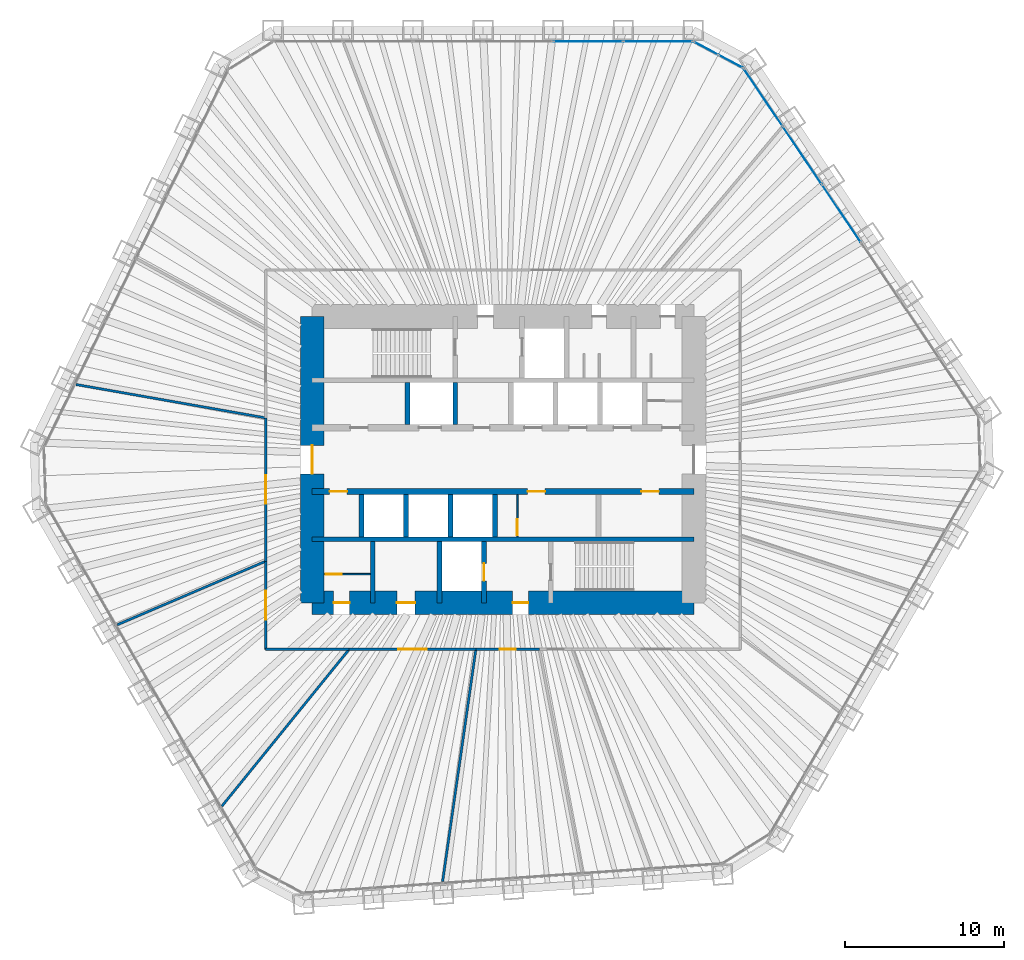
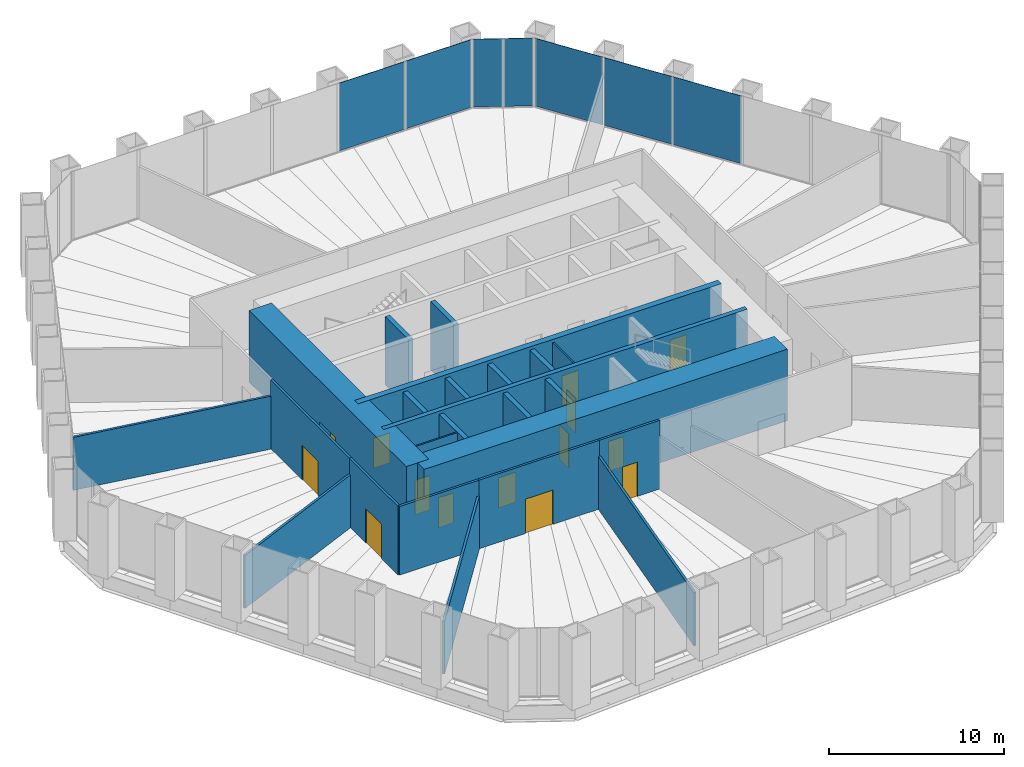
# One storey, part 10 of 13: 24 walls, 14 doors, 7 plates, 14 openings, 3 elements without a shape of their own.
"""IFC4 building model written with IfcOpenShell, lengths in metres."""

import ifcopenshell
import ifcopenshell.guid

model = None  # the IFC model being written
_history = None  # IfcOwnerHistory: only IFC2X3 demands one
_inside = {}  # id of a spatial element -> (the spatial element, [elements in it])
_under = {}  # id of a project, library or spatial element -> (it, [spatial elements below it])
_declared = {}  # id of a project -> (the project, [libraries it declares])
_typed = {}  # id of a type object -> (the type object, [elements of that type])
_made_of = {}  # id of a material, layer set ... -> (it, [elements and type objects made of it])


def new_model(schema):
    """Start an empty IFC model of exactly this schema.

    Asked for "IFC4X3", IfcOpenShell would pick the latest addendum, in which some entities
    have other attributes; the version numbers below select the first issue.
    IFC2X3 requires an IfcOwnerHistory on every rooted entity: one is made here for all.
    """
    global model, _history
    if schema == "IFC4X3":
        model = ifcopenshell.file(schema_version=(4, 3, 0, 0))
    else:
        model = ifcopenshell.file(schema=schema)
    _inside.clear()
    _under.clear()
    _declared.clear()
    _typed.clear()
    _made_of.clear()
    _history = None
    if model.schema == "IFC2X3":
        org = make("IfcOrganization", Name="unknown")
        user = make(
            "IfcPersonAndOrganization",
            ThePerson=make("IfcPerson", FamilyName="unknown"),
            TheOrganization=org,
        )
        app = make(
            "IfcApplication",
            ApplicationDeveloper=org,
            Version="unknown",
            ApplicationFullName="unknown",
            ApplicationIdentifier="unknown",
        )
        _history = make(
            "IfcOwnerHistory",
            OwningUser=user,
            OwningApplication=app,
            ChangeAction="ADDED",
            CreationDate=0,
        )
    return model


def make(cls, **values):
    """One entity of the class cls with the attributes given. An attribute that is None is left unset."""
    return model.create_entity(
        cls, **{name: value for name, value in values.items() if value is not None}
    )


def rooted(cls, **values):
    """An entity with a GlobalId (a new one), such as an element, a storey or a relation."""
    return make(cls, GlobalId=ifcopenshell.guid.new(), OwnerHistory=_history, **values)


def si_unit(unit_type, name, prefix=None):
    """IfcSIUnit, for example si_unit("LENGTHUNIT", "METRE", prefix="MILLI")."""
    return make("IfcSIUnit", UnitType=unit_type, Prefix=prefix, Name=name)


def assignment(units):
    """IfcUnitAssignment: the units of a project."""
    return None if units is None else make("IfcUnitAssignment", Units=units)


def point(xyz):
    """IfcCartesianPoint."""
    return None if xyz is None else make("IfcCartesianPoint", Coordinates=xyz)


def direction(xyz):
    """IfcDirection."""
    return None if xyz is None else make("IfcDirection", DirectionRatios=xyz)


def frame(location, z_axis=None, x_axis=None):
    """IfcAxis2Placement3D, a coordinate frame: its origin and axes. An axis left out is left unset."""
    return make(
        "IfcAxis2Placement3D",
        Location=point(location),
        Axis=direction(z_axis),
        RefDirection=direction(x_axis),
    )


def frame_2d(location, x_axis=None):
    """IfcAxis2Placement2D, a coordinate frame in the plane: its origin and x axis."""
    return make(
        "IfcAxis2Placement2D", Location=point(location), RefDirection=direction(x_axis)
    )


def origin():
    """The frame at (0, 0, 0) with its axes left unset."""
    return frame((0.0, 0.0, 0.0))


def origin_2d():
    """The frame at (0, 0) in the plane with its x axis left unset."""
    return frame_2d((0.0, 0.0))


def place(relative_to, where):
    """IfcLocalPlacement: puts the frame where relative to a parent placement (None: the world)."""
    return make(
        "IfcLocalPlacement", PlacementRelTo=relative_to, RelativePlacement=where
    )


def context(
    kind, dimensions, precision=None, world=None, true_north=None, identifier=None
):
    """IfcGeometricRepresentationContext, for example the 3D "Model" context."""
    return make(
        "IfcGeometricRepresentationContext",
        ContextIdentifier=identifier,
        ContextType=kind,
        CoordinateSpaceDimension=dimensions,
        Precision=precision,
        WorldCoordinateSystem=world,
        TrueNorth=true_north,
    )


def subcontext(parent, identifier, kind, view, scale=None):
    """IfcGeometricRepresentationSubContext, for example "Body" below "Model"."""
    return make(
        "IfcGeometricRepresentationSubContext",
        ContextIdentifier=identifier,
        ContextType=kind,
        ParentContext=parent,
        TargetScale=scale,
        TargetView=view,
    )


def project(units=None, contexts=None):
    """IfcProject with its units and contexts."""
    return rooted(
        "IfcProject",
        Name="project",
        RepresentationContexts=contexts,
        UnitsInContext=assignment(units),
    )


def spatial(cls, under=None, at=None, **own):
    """A site, building, storey or space (cls), placed at a placement, below another one or the project."""
    s = rooted(cls, ObjectPlacement=at, **own)
    if under is not None:
        _under.setdefault(under.id(), (under, []))[1].append(s)
    return s


def profile(cls, at=None, kind="AREA", **sizes):
    """A parametric profile (cls). Its sizes go by their IFC names, for example OverallWidth=200.0."""
    return make(cls, ProfileType=kind, Position=at, **sizes)


def rectangle(**sizes):
    """IfcRectangleProfileDef."""
    return profile("IfcRectangleProfileDef", **sizes)


def extrude(swept, where, along, depth):
    """IfcExtrudedAreaSolid: the profile swept, set in the frame where, extruded along a direction by depth."""
    return make(
        "IfcExtrudedAreaSolid",
        SweptArea=swept,
        Position=where,
        ExtrudedDirection=direction(along),
        Depth=depth,
    )


def shape(context_of_items, identifier, shape_type, items):
    """IfcShapeRepresentation: the items that make up one representation, for example the "Body"."""
    return make(
        "IfcShapeRepresentation",
        ContextOfItems=context_of_items,
        RepresentationIdentifier=identifier,
        RepresentationType=shape_type,
        Items=items,
    )


def material(Name=None, Category=None):
    """IfcMaterial."""
    return make("IfcMaterial", Name=Name, Category=Category)


def layer(
    of_material, thickness, ventilated=None, Name=None, Category=None, Priority=None
):
    """IfcMaterialLayer: one layer of a wall or slab, of a material (None: an air gap)."""
    return make(
        "IfcMaterialLayer",
        Material=of_material,
        LayerThickness=thickness,
        IsVentilated=ventilated,
        Name=Name,
        Category=Category,
        Priority=Priority,
    )


def layer_set(layers, Name=None):
    """IfcMaterialLayerSet."""
    return make("IfcMaterialLayerSet", MaterialLayers=layers, LayerSetName=Name)


def made_of(thing, what):
    """Note that an element or type object is made of a material, layer set ...; save() writes the relation."""
    if what is not None:
        _made_of.setdefault(what.id(), (what, []))[1].append(thing)
    return thing


def type_object(cls, material=None, **own):
    """A type object (cls), such as IfcWallType, which elements share."""
    return made_of(rooted(cls, **own), material)


def element(
    cls,
    number,
    at=None,
    inside=None,
    cuts=None,
    type_object=None,
    material=None,
    context=None,
    identifier="Body",
    shape_type=None,
    held_by="IfcProductDefinitionShape",
    body=None,
    shapes=None,
    **own,
):
    """One element of the class cls, such as IfcWall. Its Tag is "e" and its number.

    at: its placement. inside: the storey or other place that contains it. cuts: it is an
    opening in that element (IfcRelVoidsElement). A single representation is given by context,
    identifier, shape_type and body (its items); several are given by shapes. held_by: the class
    of the entity that holds the representations. save() writes the other relations.
    """
    e = rooted(cls, Tag="e%d" % number, ObjectPlacement=at, **own)
    if body is not None:
        shapes = [shape(context, identifier, shape_type, body)]
    if shapes is not None:
        e.Representation = make(held_by, Representations=shapes)
    if inside is not None:
        _inside.setdefault(inside.id(), (inside, []))[1].append(e)
    if cuts is not None:
        rooted(
            "IfcRelVoidsElement", RelatingBuildingElement=cuts, RelatedOpeningElement=e
        )
    if type_object is not None:
        _typed.setdefault(type_object.id(), (type_object, []))[1].append(e)
    return made_of(e, material)


def fill(opening, filler):
    """IfcRelFillsElement: the door or window that sits in an opening."""
    return rooted(
        "IfcRelFillsElement",
        RelatingOpeningElement=opening,
        RelatedBuildingElement=filler,
    )


def aggregate(whole, parts):
    """IfcRelAggregates: a whole, such as a stair, and the parts it consists of."""
    return rooted("IfcRelAggregates", RelatingObject=whole, RelatedObjects=parts)


def save(model, path):
    """Write the relations noted so far, then the file.

    IfcRelAggregates (storeys below a building ...), IfcRelContainedInSpatialStructure (elements
    in a storey), IfcRelDefinesByType, IfcRelAssociatesMaterial and IfcRelDeclares: one each for
    every whole, place, type object, material and project.
    """
    for whole, parts in _under.values():
        aggregate(whole, parts)
    for where, things in _inside.values():
        rooted(
            "IfcRelContainedInSpatialStructure",
            RelatedElements=things,
            RelatingStructure=where,
        )
    for kind, things in _typed.values():
        rooted("IfcRelDefinesByType", RelatedObjects=things, RelatingType=kind)
    for what, things in _made_of.values():
        rooted("IfcRelAssociatesMaterial", RelatedObjects=things, RelatingMaterial=what)
    for by, libraries in _declared.values():
        rooted("IfcRelDeclares", RelatingContext=by, RelatedDefinitions=libraries)
    model.write(path)


model = new_model("IFC4")

# Units and contexts
model_context = context("Model", 3, precision=1e-05, world=origin(), true_north=direction((0.0, 1.0)))
body_context = subcontext(model_context, "Body", "Model", "MODEL_VIEW")
ifc_project = project(units=[si_unit("LENGTHUNIT", "METRE"), si_unit("AREAUNIT", "SQUARE_METRE"), si_unit("VOLUMEUNIT", "CUBIC_METRE"), si_unit("PLANEANGLEUNIT", "RADIAN"), si_unit("MASSUNIT", "GRAM", prefix="KILO")], contexts=[model_context])

# Site, building, storey
site_placement = place(None, origin())
site = spatial("IfcSite", under=ifc_project, at=site_placement, CompositionType="ELEMENT")
building_placement = place(site_placement, origin())
building = spatial("IfcBuilding", under=site, at=building_placement, Name="Qingtian Harvest Tower", CompositionType="ELEMENT")
storey_placement = place(building_placement, frame((0.0, 0.0, 22.0)))
storey = spatial("IfcBuildingStorey", under=building, at=storey_placement, Name="L04", CompositionType="ELEMENT", Elevation=22.0)

# Curtain wall, plates
ifc_material_1 = material(Name="Bronze-anodised aluminium curtain wall", Category="aluminium")
curtain_wall_type = type_object("IfcCurtainWallType", Name="Curtain wall CW2 farm reception", PredefinedType="USERDEFINED", material=ifc_material_1)
curtain_wall_1_placement = place(storey_placement, origin())
curtain_wall_1 = element("IfcCurtainWall", 1, at=curtain_wall_1_placement, inside=storey, type_object=curtain_wall_type, Name="Curtain wall CW2 L04 N0-5", ObjectType="RECESSED CURTAIN WALL", PredefinedType="USERDEFINED")
ifc_material_2 = material(Name="Bronze-tinted laminated insulating glass", Category="glass")
ifc_layer_1 = layer(ifc_material_2, 0.030029296875)
ifc_layer_set_1 = layer_set([ifc_layer_1], Name="Glazed panel CWP tinted IGU")
plate_type = type_object("IfcPlateType", Name="Glazed panel CWP tinted IGU", PredefinedType="CURTAIN_PANEL", material=ifc_layer_set_1)
plate_1_placement = place(storey_placement, frame((5.349365234375, 26.300048828125, 0.06494140625), z_axis=(0.0, 0.0, 1.0), x_axis=(1.0, 0.0, 0.0)))
plate_1 = element("IfcPlate", 2, at=plate_1_placement, type_object=plate_type, Name="CW2 panel 5.1", PredefinedType="CURTAIN_PANEL", context=body_context, shape_type="SweptSolid", body=[
    extrude(rectangle(XDim=4.339599609375, YDim=0.030029296875, at=origin_2d()), origin(), (0.0, 0.0, 1.0), 4.735107421875),
])
plate_2_placement = place(storey_placement, frame((9.737548828125, 26.300048828125, 0.06494140625), z_axis=(0.0, 0.0, 1.0), x_axis=(1.0, 0.0, 0.0)))
plate_2 = element("IfcPlate", 3, at=plate_2_placement, type_object=plate_type, Name="CW2 panel 6.1", PredefinedType="CURTAIN_PANEL", context=body_context, shape_type="SweptSolid", body=[
    extrude(rectangle(XDim=4.30712890625, YDim=0.030029296875, at=origin_2d()), origin(), (0.0, 0.0, 1.0), 4.735107421875),
])
aggregate(curtain_wall_1, [plate_1, plate_2])

curtain_wall_2_placement = place(storey_placement, origin())
curtain_wall_2 = element("IfcCurtainWall", 4, at=curtain_wall_2_placement, inside=storey, type_object=curtain_wall_type, Name="Curtain wall CW2 L04 NC", ObjectType="RECESSED CURTAIN WALL", PredefinedType="USERDEFINED")
plate_3_placement = place(storey_placement, frame((12.760986328125, 25.8720703125, 0.06494140625), z_axis=(0.0, 0.0, 1.0), x_axis=(0.882947592859, -0.469471562786, 0.0)))
plate_3 = element("IfcPlate", 5, at=plate_3_placement, type_object=plate_type, Name="CW2 panel 1.1", PredefinedType="CURTAIN_PANEL", context=body_context, shape_type="SweptSolid", body=[
    extrude(rectangle(XDim=1.69287109375, YDim=0.030029296875, at=origin_2d()), origin(), (0.0, 0.0, 1.0), 4.735107421875),
])
plate_4_placement = place(storey_placement, frame((14.31298828125, 25.046875, 0.06494140625), z_axis=(0.0, 0.0, 1.0), x_axis=(0.882947592859, -0.469471562786, 0.0)))
plate_4 = element("IfcPlate", 6, at=plate_4_placement, type_object=plate_type, Name="CW2 panel 2.1", PredefinedType="CURTAIN_PANEL", context=body_context, shape_type="SweptSolid", body=[
    extrude(rectangle(XDim=1.69287109375, YDim=0.030029296875, at=origin_2d()), origin(), (0.0, 0.0, 1.0), 4.735107421875),
])
aggregate(curtain_wall_2, [plate_3, plate_4])

curtain_wall_3_placement = place(storey_placement, origin())
curtain_wall_3 = element("IfcCurtainWall", 7, at=curtain_wall_3_placement, inside=storey, type_object=curtain_wall_type, Name="Curtain wall CW2 L04 NE0-5", ObjectType="RECESSED CURTAIN WALL", PredefinedType="USERDEFINED")
plate_5_placement = place(storey_placement, frame((16.3583984375, 22.779541015625, 0.06494140625), z_axis=(0.0, 0.0, 1.0), x_axis=(0.559192903471, -0.829037572555, 0.0)))
plate_5 = element("IfcPlate", 8, at=plate_5_placement, type_object=plate_type, Name="CW2 panel 1.1", PredefinedType="CURTAIN_PANEL", context=body_context, shape_type="SweptSolid", body=[
    extrude(rectangle(XDim=4.30712890625, YDim=0.030029296875, at=origin_2d()), origin(), (0.0, 0.0, 1.0), 4.735107421875),
])
plate_6_placement = place(storey_placement, frame((18.8125, 19.1416015625, 0.06494140625), z_axis=(0.0, 0.0, 1.0), x_axis=(0.559192903471, -0.829037572555, 0.0)))
plate_6 = element("IfcPlate", 9, at=plate_6_placement, type_object=plate_type, Name="CW2 panel 2.1", PredefinedType="CURTAIN_PANEL", context=body_context, shape_type="SweptSolid", body=[
    extrude(rectangle(XDim=4.339599609375, YDim=0.030029296875, at=origin_2d()), origin(), (0.0, 0.0, 1.0), 4.735107421875),
])
plate_7_placement = place(storey_placement, frame((21.275390625, 15.489990234375, 0.06494140625), z_axis=(0.0, 0.0, 1.0), x_axis=(0.559192903471, -0.829037572555, 0.0)))
plate_7 = element("IfcPlate", 10, at=plate_7_placement, type_object=plate_type, Name="CW2 panel 3.1", PredefinedType="CURTAIN_PANEL", context=body_context, shape_type="SweptSolid", body=[
    extrude(rectangle(XDim=4.339599609375, YDim=0.030029296875, at=origin_2d()), origin(), (0.0, 0.0, 1.0), 4.735107421875),
])
aggregate(curtain_wall_3, [plate_5, plate_6, plate_7])

# Wall
ifc_material_3 = material(Name="Concrete fc' 70 MPa", Category="concrete")
ifc_layer_2 = layer(ifc_material_3, 0.300048828125)
ifc_layer_set_2 = layer_set([ifc_layer_2], Name="Core inner wall RC5 300")
wall_type_1 = type_object("IfcWallType", Name="Core inner wall RC5 300", PredefinedType="SHEAR", material=ifc_layer_set_2)
wall_1_placement = place(storey_placement, frame((-12.0, -5.0, 0.0), z_axis=(0.0, 0.0, 1.0), x_axis=(1.0, 0.0, 0.0)))
element("IfcWall", 11, at=wall_1_placement, inside=storey, type_object=wall_type_1, Name="Core wall IS5 L04", PredefinedType="SHEAR", context=body_context, shape_type="SweptSolid", body=[
    extrude(rectangle(XDim=24.0, YDim=0.300048828125, at=frame_2d((12.0, 0.0))), origin(), (0.0, 0.0, 1.0), 5.0),
])

# Wall, openings, doors
ifc_material_4 = material(Name="Concrete fc' 70 MPa", Category="concrete")
ifc_layer_3 = layer(ifc_material_4, 0.39990234375)
ifc_layer_set_3 = layer_set([ifc_layer_3], Name="Core inner web RC6 400")
wall_type_2 = type_object("IfcWallType", Name="Core inner web RC6 400", PredefinedType="SHEAR", material=ifc_layer_set_3)
wall_2_placement = place(storey_placement, frame((-12.0, -2.0, 0.0), z_axis=(0.0, 0.0, 1.0), x_axis=(1.0, 0.0, 0.0)))
wall_2 = element("IfcWall", 12, at=wall_2_placement, inside=storey, type_object=wall_type_2, Name="Core wall IS2 L04", PredefinedType="SHEAR", context=body_context, shape_type="SweptSolid", body=[
    extrude(rectangle(XDim=24.0, YDim=0.39990234375, at=frame_2d((12.0, 0.0))), origin(), (0.0, 0.0, 1.0), 5.0),
])
opening_1_placement = place(wall_2_placement, frame((1.10009765625, 0.0, 0.0)))
opening_1 = element("IfcOpeningElement", 13, at=opening_1_placement, cuts=wall_2, Name="Opening FD4", PredefinedType="OPENING", context=body_context, shape_type="SweptSolid", body=[
    extrude(rectangle(XDim=1.10009765625, YDim=2.10009765625, at=frame_2d((0.550048828125, 1.050048828125))), frame((0.0, 0.2099609375, 0.0), z_axis=(0.0, -1.0, 0.0), x_axis=(1.0, 0.0, 0.0)), (0.0, 0.0, 1.0), 0.419921875),
])
opening_2_placement = place(wall_2_placement, frame((13.550048828125, 0.0, 0.0)))
opening_2 = element("IfcOpeningElement", 14, at=opening_2_placement, cuts=wall_2, Name="Opening FD4", PredefinedType="OPENING", context=body_context, shape_type="SweptSolid", body=[
    extrude(rectangle(XDim=1.10009765625, YDim=2.10009765625, at=frame_2d((0.550048828125, 1.050048828125))), frame((0.0, 0.2099609375, 0.0), z_axis=(0.0, -1.0, 0.0), x_axis=(1.0, 0.0, 0.0)), (0.0, 0.0, 1.0), 0.419921875),
])
opening_3_placement = place(wall_2_placement, frame((20.699951171875, 0.0, 0.0)))
opening_3 = element("IfcOpeningElement", 15, at=opening_3_placement, cuts=wall_2, Name="Opening FD4", PredefinedType="OPENING", context=body_context, shape_type="SweptSolid", body=[
    extrude(rectangle(XDim=1.10009765625, YDim=2.10009765625, at=frame_2d((0.550048828125, 1.050048828125))), frame((0.0, 0.2099609375, 0.0), z_axis=(0.0, -1.0, 0.0), x_axis=(1.0, 0.0, 0.0)), (0.0, 0.0, 1.0), 0.419921875),
])
ifc_material_5 = material(Name="Steel-faced door leaf", Category="steel")
door_type_1 = type_object("IfcDoorType", Name="Fire door FD4 single 2 HR", OperationType="SINGLE_SWING_LEFT", PredefinedType="DOOR", material=ifc_material_5)
door_1_placement = place(opening_1_placement, origin())
door_1 = element("IfcDoor", 16, at=door_1_placement, inside=storey, type_object=door_type_1, Name="RB door L04", OperationType="SINGLE_SWING_LEFT", OverallHeight=2.10009765625, OverallWidth=1.10009765625, PredefinedType="DOOR", context=body_context, shape_type="SweptSolid", body=[
    extrude(rectangle(XDim=1.10009765625, YDim=2.10009765625, at=frame_2d((0.550048828125, 1.050048828125))), frame((0.0, 0.02490234375, 0.0), z_axis=(0.0, -1.0, 0.0), x_axis=(1.0, 0.0, 0.0)), (0.0, 0.0, 1.0), 0.050048828125),
])
fill(opening_1, door_1)
door_2_placement = place(opening_2_placement, origin())
door_2 = element("IfcDoor", 17, at=door_2_placement, inside=storey, type_object=door_type_1, Name="ELEC door L04", OperationType="SINGLE_SWING_LEFT", OverallHeight=2.10009765625, OverallWidth=1.10009765625, PredefinedType="DOOR", context=body_context, shape_type="SweptSolid", body=[
    extrude(rectangle(XDim=1.10009765625, YDim=2.10009765625, at=frame_2d((0.550048828125, 1.050048828125))), frame((0.0, 0.02490234375, 0.0), z_axis=(0.0, -1.0, 0.0), x_axis=(1.0, 0.0, 0.0)), (0.0, 0.0, 1.0), 0.050048828125),
])
fill(opening_2, door_2)
door_3_placement = place(opening_3_placement, origin())
door_3 = element("IfcDoor", 18, at=door_3_placement, inside=storey, type_object=door_type_1, Name="DUCT door L04", OperationType="SINGLE_SWING_RIGHT", OverallHeight=2.10009765625, OverallWidth=1.10009765625, PredefinedType="DOOR", context=body_context, shape_type="SweptSolid", body=[
    extrude(rectangle(XDim=1.10009765625, YDim=2.10009765625, at=frame_2d((0.550048828125, 1.050048828125))), frame((0.0, 0.02490234375, 0.0), z_axis=(0.0, -1.0, 0.0), x_axis=(1.0, 0.0, 0.0)), (0.0, 0.0, 1.0), 0.050048828125),
])
fill(opening_3, door_3)

# Walls
ifc_material_6 = material(Name="Precast concrete shaft panel", Category="concrete")
ifc_layer_4 = layer(ifc_material_6, 0.300048828125)
ifc_layer_set_4 = layer_set([ifc_layer_4], Name="Core shaft partition SW1 300")
wall_type_3 = type_object("IfcWallType", Name="Core shaft partition SW1 300", PredefinedType="PARTITIONING", material=ifc_layer_set_4)
for number, where, z_axis, x_axis, name in (
    (19, (-6.0, 2.199951171875, 0.0), (0.0, 0.0, 1.0), (0.0, 1.0, 0.0), "Core shaft partition XA1 L04"),
    (20, (-3.0, 2.199951171875, 0.0), (0.0, 0.0, 1.0), (0.0, 1.0, 0.0), "Core shaft partition XA2 L04"),
    (21, (-8.89990234375, -4.85009765625, 0.0), (0.0, 0.0, 1.0), (0.0, 1.0, 0.0), "Core shaft partition XB1 L04"),
    (22, (-6.10009765625, -4.85009765625, 0.0), (0.0, 0.0, 1.0), (0.0, 1.0, 0.0), "Core shaft partition XB2 L04"),
    (23, (-3.300048828125, -4.85009765625, 0.0), (0.0, 0.0, 1.0), (0.0, 1.0, 0.0), "Core shaft partition XB3 L04"),
    (24, (-0.5, -4.85009765625, 0.0), (0.0, 0.0, 1.0), (0.0, 1.0, 0.0), "Core shaft partition XB4 L04"),
):
    element("IfcWall", number, at=place(storey_placement, frame(where, z_axis=z_axis, x_axis=x_axis)), inside=storey, type_object=wall_type_3, Name=name, PredefinedType="PARTITIONING", context=body_context, shape_type="SweptSolid", body=[
        extrude(rectangle(XDim=2.650146484375, YDim=0.300048828125, at=frame_2d((1.3251953125, 0.0))), origin(), (0.0, 0.0, 1.0), 4.780029296875),
    ])
for number, where, z_axis, x_axis, name in (
    (25, (-8.199951171875, -9.0, 0.0), (0.0, 0.0, 1.0), (0.0, 1.0, 0.0), "Core shaft partition XS1 L04"),
    (26, (-4.0, -9.0, 0.0), (0.0, 0.0, 1.0), (0.0, 1.0, 0.0), "Core shaft partition XS2 L04"),
):
    element("IfcWall", number, at=place(storey_placement, frame(where, z_axis=z_axis, x_axis=x_axis)), inside=storey, type_object=wall_type_3, Name=name, PredefinedType="PARTITIONING", context=body_context, shape_type="SweptSolid", body=[
        extrude(rectangle(XDim=3.85009765625, YDim=0.300048828125, at=frame_2d((1.925048828125, 0.0))), origin(), (0.0, 0.0, 1.0), 4.780029296875),
    ])

# Wall, opening, door
wall_3_placement = place(storey_placement, frame((-1.199951171875, -9.0, 0.0), z_axis=(0.0, 0.0, 1.0), x_axis=(0.0, 1.0, 0.0)))
wall_3 = element("IfcWall", 27, at=wall_3_placement, inside=storey, type_object=wall_type_3, Name="Core shaft partition XS3 L04", PredefinedType="PARTITIONING", context=body_context, shape_type="SweptSolid", body=[
    extrude(rectangle(XDim=3.85009765625, YDim=0.300048828125, at=frame_2d((1.925048828125, 0.0))), origin(), (0.0, 0.0, 1.0), 4.780029296875),
])
opening_4_placement = place(wall_3_placement, frame((1.375, 0.0, 0.0)))
opening_4 = element("IfcOpeningElement", 28, at=opening_4_placement, cuts=wall_3, Name="Opening LD1", PredefinedType="OPENING", context=body_context, shape_type="SweptSolid", body=[
    extrude(rectangle(XDim=1.10009765625, YDim=2.39990234375, at=frame_2d((0.550048828125, 1.199951171875))), frame((0.0, 0.159912109375, 0.0), z_axis=(0.0, -1.0, 0.0), x_axis=(1.0, 0.0, 0.0)), (0.0, 0.0, 1.0), 0.320068359375),
])
ifc_material_7 = material(Name="Stainless steel lift landing door", Category="steel")
door_type_2 = type_object("IfcDoorType", Name="Lift landing door LD1 1 HR", OperationType="DOUBLE_DOOR_SLIDING", PredefinedType="DOOR", material=ifc_material_7)
door_4_placement = place(opening_4_placement, origin())
door_4 = element("IfcDoor", 29, at=door_4_placement, inside=storey, type_object=door_type_2, Name="FL2 landing door L04", OperationType="DOUBLE_DOOR_SLIDING", OverallHeight=2.39990234375, OverallWidth=1.10009765625, PredefinedType="DOOR", context=body_context, shape_type="SweptSolid", body=[
    extrude(rectangle(XDim=1.10009765625, YDim=2.39990234375, at=frame_2d((0.550048828125, 1.199951171875))), frame((0.0, 0.02490234375, 0.0), z_axis=(0.0, -1.0, 0.0), x_axis=(1.0, 0.0, 0.0)), (0.0, 0.0, 1.0), 0.050048828125),
])
fill(opening_4, door_4)

# Wall, openings, doors
ifc_material_8 = material(Name="Concrete fc' 70 MPa", Category="concrete")
ifc_layer_5 = layer(ifc_material_8, 1.5)
ifc_layer_set_5 = layer_set([ifc_layer_5], Name="Core wall RC1 1500")
wall_type_4 = type_object("IfcWallType", Name="Core wall RC1 1500", PredefinedType="SHEAR", material=ifc_layer_set_5)
wall_4_placement = place(storey_placement, frame((-12.0, -9.0, 0.0), z_axis=(0.0, 0.0, 1.0), x_axis=(1.0, 0.0, 0.0)))
wall_4 = element("IfcWall", 30, at=wall_4_placement, inside=storey, type_object=wall_type_4, Name="Core wall CS L04", PredefinedType="SHEAR", context=body_context, shape_type="SweptSolid", body=[
    extrude(rectangle(XDim=24.0, YDim=1.5, at=frame_2d((12.0, 0.0))), origin(), (0.0, 0.0, 1.0), 5.0),
])
opening_5_placement = place(wall_4_placement, frame((1.35009765625, 0.0, 0.0)))
opening_5 = element("IfcOpeningElement", 31, at=opening_5_placement, cuts=wall_4, Name="Opening FD1", PredefinedType="OPENING", context=body_context, shape_type="SweptSolid", body=[
    extrude(rectangle(XDim=1.0, YDim=2.10009765625, at=frame_2d((0.5, 1.050048828125))), frame((0.0, 0.760009765625, 0.0), z_axis=(0.0, -1.0, 0.0), x_axis=(1.0, 0.0, 0.0)), (0.0, 0.0, 1.0), 1.52001953125),
])
opening_6_placement = place(wall_4_placement, frame((5.324951171875, 0.0, 0.0)))
opening_6 = element("IfcOpeningElement", 32, at=opening_6_placement, cuts=wall_4, Name="Opening AD1", PredefinedType="OPENING", context=body_context, shape_type="SweptSolid", body=[
    extrude(rectangle(XDim=1.14990234375, YDim=2.10009765625, at=frame_2d((0.574951171875, 1.050048828125))), frame((0.0, 0.760009765625, 0.0), z_axis=(0.0, -1.0, 0.0), x_axis=(1.0, 0.0, 0.0)), (0.0, 0.0, 1.0), 1.52001953125),
])
opening_7_placement = place(wall_4_placement, frame((12.60009765625, 0.0, 0.0)))
opening_7 = element("IfcOpeningElement", 33, at=opening_7_placement, cuts=wall_4, Name="Opening FD1", PredefinedType="OPENING", context=body_context, shape_type="SweptSolid", body=[
    extrude(rectangle(XDim=1.0, YDim=2.10009765625, at=frame_2d((0.5, 1.050048828125))), frame((0.0, 0.760009765625, 0.0), z_axis=(0.0, -1.0, 0.0), x_axis=(1.0, 0.0, 0.0)), (0.0, 0.0, 1.0), 1.52001953125),
])
ifc_material_9 = material(Name="Laminated timber door leaf", Category="wood")
door_type_3 = type_object("IfcDoorType", Name="Accessible WC door AD1 single", OperationType="SINGLE_SWING_LEFT", PredefinedType="DOOR", material=ifc_material_9)
door_5_placement = place(opening_6_placement, origin())
door_5 = element("IfcDoor", 34, at=door_5_placement, inside=storey, type_object=door_type_3, Name="AWC door L04", OperationType="SINGLE_SWING_LEFT", OverallHeight=2.10009765625, OverallWidth=1.14990234375, PredefinedType="DOOR", context=body_context, shape_type="SweptSolid", body=[
    extrude(rectangle(XDim=1.14990234375, YDim=2.10009765625, at=frame_2d((0.574951171875, 1.050048828125))), frame((0.0, 0.02490234375, 0.0), z_axis=(0.0, -1.0, 0.0), x_axis=(1.0, 0.0, 0.0)), (0.0, 0.0, 1.0), 0.050048828125),
])
fill(opening_6, door_5)
ifc_material_10 = material(Name="Steel-faced door leaf", Category="steel")
door_type_4 = type_object("IfcDoorType", Name="Fire door FD1 single 1 HR", OperationType="SINGLE_SWING_LEFT", PredefinedType="DOOR", material=ifc_material_10)
door_6_placement = place(opening_5_placement, origin())
door_6 = element("IfcDoor", 35, at=door_6_placement, inside=storey, type_object=door_type_4, Name="CLN door L04", OperationType="SINGLE_SWING_RIGHT", OverallHeight=2.10009765625, OverallWidth=1.0, PredefinedType="DOOR", context=body_context, shape_type="SweptSolid", body=[
    extrude(rectangle(XDim=1.0, YDim=2.10009765625, at=frame_2d((0.5, 1.050048828125))), frame((0.0, 0.02490234375, 0.0), z_axis=(0.0, -1.0, 0.0), x_axis=(1.0, 0.0, 0.0)), (0.0, 0.0, 1.0), 0.050048828125),
])
fill(opening_5, door_6)
door_7_placement = place(opening_7_placement, origin())
door_7 = element("IfcDoor", 36, at=door_7_placement, inside=storey, type_object=door_type_4, Name="V2 door L04", OperationType="SINGLE_SWING_RIGHT", OverallHeight=2.10009765625, OverallWidth=1.0, PredefinedType="DOOR", context=body_context, shape_type="SweptSolid", body=[
    extrude(rectangle(XDim=1.0, YDim=2.10009765625, at=frame_2d((0.5, 1.050048828125))), frame((0.0, 0.02490234375, 0.0), z_axis=(0.0, -1.0, 0.0), x_axis=(1.0, 0.0, 0.0)), (0.0, 0.0, 1.0), 0.050048828125),
])
fill(opening_7, door_7)

# Wall, opening, door
wall_5_placement = place(storey_placement, frame((-12.0, -9.0, 0.0), z_axis=(0.0, 0.0, 1.0), x_axis=(0.0, 1.0, 0.0)))
wall_5 = element("IfcWall", 37, at=wall_5_placement, inside=storey, type_object=wall_type_4, Name="Core wall CW L04", PredefinedType="SHEAR", context=body_context, shape_type="SweptSolid", body=[
    extrude(rectangle(XDim=18.0, YDim=1.5, at=frame_2d((9.0, 0.0))), origin(), (0.0, 0.0, 1.0), 5.0),
])
opening_8_placement = place(wall_5_placement, frame((8.10009765625, 0.0, 0.0)))
opening_8 = element("IfcOpeningElement", 38, at=opening_8_placement, cuts=wall_5, Name="Opening FD2", PredefinedType="OPENING", context=body_context, shape_type="SweptSolid", body=[
    extrude(rectangle(XDim=1.800048828125, YDim=2.10009765625, at=frame_2d((0.89990234375, 1.050048828125))), frame((0.0, 0.760009765625, 0.0), z_axis=(0.0, -1.0, 0.0), x_axis=(1.0, 0.0, 0.0)), (0.0, 0.0, 1.0), 1.52001953125),
])
ifc_material_11 = material(Name="Steel-faced door leaf", Category="steel")
door_type_5 = type_object("IfcDoorType", Name="Fire door FD2 double 1 HR", OperationType="DOUBLE_DOOR_DOUBLE_SWING", PredefinedType="DOOR", material=ifc_material_11)
door_8_placement = place(opening_8_placement, origin())
door_8 = element("IfcDoor", 39, at=door_8_placement, inside=storey, type_object=door_type_5, Name="LOBBY-W door L04", OperationType="DOUBLE_DOOR_DOUBLE_SWING", OverallHeight=2.10009765625, OverallWidth=1.800048828125, PredefinedType="DOOR", context=body_context, shape_type="SweptSolid", body=[
    extrude(rectangle(XDim=1.800048828125, YDim=2.10009765625, at=frame_2d((0.89990234375, 1.050048828125))), frame((0.0, 0.02490234375, 0.0), z_axis=(0.0, -1.0, 0.0), x_axis=(1.0, 0.0, 0.0)), (0.0, 0.0, 1.0), 0.050048828125),
])
fill(opening_8, door_8)

# Walls
ifc_material_12 = material(Name="Gypsum board on steel studs", Category="steel")
ifc_layer_6 = layer(ifc_material_12, 0.14990234375)
ifc_layer_set_6 = layer_set([ifc_layer_6], Name="Partition PT1 150")
wall_type_5 = type_object("IfcWallType", Name="Partition PT1 150", PredefinedType="PARTITIONING", material=ifc_layer_set_6)
wall_6_placement = place(storey_placement, frame((-17.679931640625, -21.79052734375, 0.0), z_axis=(0.0, 0.0, 1.0), x_axis=(0.630056381531, 0.776549390633, 0.0)))
element("IfcWall", 40, at=wall_6_placement, inside=storey, type_object=wall_type_5, Name="Visitor education room wall L04", PredefinedType="PARTITIONING", context=body_context, shape_type="SweptSolid", body=[
    extrude(rectangle(XDim=12.704345703125, YDim=0.14990234375, at=frame_2d((6.35205078125, 0.0))), origin(), (0.0, 0.0, 1.0), 3.699951171875),
])
wall_7_placement = place(storey_placement, frame((-9.675537109375, -11.925048828125, 0.0), z_axis=(0.0, 0.0, 1.0), x_axis=(-1.0, 0.0, 0.0)))
element("IfcWall", 41, at=wall_7_placement, inside=storey, type_object=wall_type_5, Name="Visitor education room wall L04", PredefinedType="PARTITIONING", context=body_context, shape_type="SweptSolid", body=[
    extrude(rectangle(XDim=5.24951171875, YDim=0.14990234375, at=frame_2d((2.624755859375, 0.0))), origin(), (0.0, 0.0, 1.0), 4.800048828125),
])

# Wall, opening, door
wall_8_placement = place(storey_placement, frame((-14.925048828125, -11.925048828125, 0.0), z_axis=(0.0, 0.0, 1.0), x_axis=(0.0, 1.0, 0.0)))
wall_8 = element("IfcWall", 42, at=wall_8_placement, inside=storey, type_object=wall_type_5, Name="Visitor education room wall L04", PredefinedType="PARTITIONING", context=body_context, shape_type="SweptSolid", body=[
    extrude(rectangle(XDim=5.535400390625, YDim=0.14990234375, at=frame_2d((2.767578125, 0.0))), origin(), (0.0, 0.0, 1.0), 4.800048828125),
])
opening_9_placement = place(wall_8_placement, frame((1.86767578125, 0.0, 0.0)))
opening_9 = element("IfcOpeningElement", 43, at=opening_9_placement, cuts=wall_8, Name="Opening D3", PredefinedType="OPENING", context=body_context, shape_type="SweptSolid", body=[
    extrude(rectangle(XDim=1.800048828125, YDim=2.39990234375, at=frame_2d((0.89990234375, 1.199951171875))), frame((0.0, 0.0849609375, 0.0), z_axis=(0.0, -1.0, 0.0), x_axis=(1.0, 0.0, 0.0)), (0.0, 0.0, 1.0), 0.169921875),
])
ifc_material_13 = material(Name="Laminated timber door leaf", Category="wood")
door_type_6 = type_object("IfcDoorType", Name="Room door D3 double", OperationType="DOUBLE_DOOR_DOUBLE_SWING", PredefinedType="DOOR", material=ifc_material_13)
door_9_placement = place(opening_9_placement, origin())
door_9 = element("IfcDoor", 44, at=door_9_placement, inside=storey, type_object=door_type_6, Name="Visitor education room door L04", OperationType="DOUBLE_DOOR_DOUBLE_SWING", OverallHeight=2.39990234375, OverallWidth=1.800048828125, PredefinedType="DOOR", context=body_context, shape_type="SweptSolid", body=[
    extrude(rectangle(XDim=1.800048828125, YDim=2.39990234375, at=frame_2d((0.89990234375, 1.199951171875))), frame((0.0, 0.02490234375, 0.0), z_axis=(0.0, -1.0, 0.0), x_axis=(1.0, 0.0, 0.0)), (0.0, 0.0, 1.0), 0.050048828125),
])
fill(opening_9, door_9)

# Wall
wall_9_placement = place(storey_placement, frame((-24.258056640625, -10.38525390625, 0.0), z_axis=(0.0, 0.0, 1.0), x_axis=(0.9192967113, 0.393565187222, 0.0)))
element("IfcWall", 45, at=wall_9_placement, inside=storey, type_object=wall_type_5, Name="Germination room wall L04", PredefinedType="PARTITIONING", context=body_context, shape_type="SweptSolid", body=[
    extrude(rectangle(XDim=10.15234375, YDim=0.14990234375, at=frame_2d((5.076171875, 0.0))), origin(), (0.0, 0.0, 1.0), 3.699951171875),
])

# Wall, opening, door
wall_10_placement = place(storey_placement, frame((-14.925048828125, -6.3896484375, 0.0), z_axis=(0.0, 0.0, 1.0), x_axis=(0.0, 1.0, 0.0)))
wall_10 = element("IfcWall", 46, at=wall_10_placement, inside=storey, type_object=wall_type_5, Name="Germination room wall L04", PredefinedType="PARTITIONING", context=body_context, shape_type="SweptSolid", body=[
    extrude(rectangle(XDim=9.015869140625, YDim=0.14990234375, at=frame_2d((4.5078125, 0.0))), origin(), (0.0, 0.0, 1.0), 4.800048828125),
])
opening_10_placement = place(wall_10_placement, frame((3.60791015625, 0.0, 0.0)))
opening_10 = element("IfcOpeningElement", 47, at=opening_10_placement, cuts=wall_10, Name="Opening D3", PredefinedType="OPENING", context=body_context, shape_type="SweptSolid", body=[
    extrude(rectangle(XDim=1.800048828125, YDim=2.39990234375, at=frame_2d((0.89990234375, 1.199951171875))), frame((0.0, 0.0849609375, 0.0), z_axis=(0.0, -1.0, 0.0), x_axis=(1.0, 0.0, 0.0)), (0.0, 0.0, 1.0), 0.169921875),
])
door_10_placement = place(opening_10_placement, origin())
door_10 = element("IfcDoor", 48, at=door_10_placement, inside=storey, type_object=door_type_6, Name="Germination room door L04", OperationType="DOUBLE_DOOR_DOUBLE_SWING", OverallHeight=2.39990234375, OverallWidth=1.800048828125, PredefinedType="DOOR", context=body_context, shape_type="SweptSolid", body=[
    extrude(rectangle(XDim=1.800048828125, YDim=2.39990234375, at=frame_2d((0.89990234375, 1.199951171875))), frame((0.0, 0.02490234375, 0.0), z_axis=(0.0, -1.0, 0.0), x_axis=(1.0, 0.0, 0.0)), (0.0, 0.0, 1.0), 0.050048828125),
])
fill(opening_10, door_10)

# Wall
wall_11_placement = place(storey_placement, frame((-26.85009765625, 4.724609375, 0.0), z_axis=(0.0, 0.0, 1.0), x_axis=(0.984868693876, -0.173302209517, 0.0)))
element("IfcWall", 49, at=wall_11_placement, inside=storey, type_object=wall_type_5, Name="Seminar room wall L04", PredefinedType="PARTITIONING", context=body_context, shape_type="SweptSolid", body=[
    extrude(rectangle(XDim=12.108154296875, YDim=0.14990234375, at=frame_2d((6.05419921875, 0.0))), origin(), (0.0, 0.0, 1.0), 3.699951171875),
])

# Wall, opening, door
wall_12_placement = place(storey_placement, frame((2.27978515625, -11.925048828125, 0.0), z_axis=(0.0, 0.0, 1.0), x_axis=(-1.0, 0.0, 0.0)))
wall_12 = element("IfcWall", 50, at=wall_12_placement, inside=storey, type_object=wall_type_5, Name="Visitor tasting room wall L04", PredefinedType="PARTITIONING", context=body_context, shape_type="SweptSolid", body=[
    extrude(rectangle(XDim=3.987548828125, YDim=0.14990234375, at=frame_2d((1.99365234375, 0.0))), origin(), (0.0, 0.0, 1.0), 4.800048828125),
])
opening_11_placement = place(wall_12_placement, frame((1.493896484375, 0.0, 0.0)))
opening_11 = element("IfcOpeningElement", 51, at=opening_11_placement, cuts=wall_12, Name="Opening D2", PredefinedType="OPENING", context=body_context, shape_type="SweptSolid", body=[
    extrude(rectangle(XDim=1.0, YDim=2.39990234375, at=frame_2d((0.5, 1.199951171875))), frame((0.0, 0.0849609375, 0.0), z_axis=(0.0, -1.0, 0.0), x_axis=(1.0, 0.0, 0.0)), (0.0, 0.0, 1.0), 0.169921875),
])
ifc_material_14 = material(Name="Laminated timber door leaf", Category="wood")
door_type_7 = type_object("IfcDoorType", Name="Room door D2 single", OperationType="SINGLE_SWING_LEFT", PredefinedType="DOOR", material=ifc_material_14)
door_11_placement = place(opening_11_placement, origin())
door_11 = element("IfcDoor", 52, at=door_11_placement, inside=storey, type_object=door_type_7, Name="Visitor tasting room door L04", OperationType="SINGLE_SWING_LEFT", OverallHeight=2.39990234375, OverallWidth=1.0, PredefinedType="DOOR", context=body_context, shape_type="SweptSolid", body=[
    extrude(rectangle(XDim=1.0, YDim=2.39990234375, at=frame_2d((0.5, 1.199951171875))), frame((0.0, 0.02490234375, 0.0), z_axis=(0.0, -1.0, 0.0), x_axis=(1.0, 0.0, 0.0)), (0.0, 0.0, 1.0), 0.050048828125),
])
fill(opening_11, door_11)

# Wall
wall_13_placement = place(storey_placement, frame((-3.7998046875, -26.531982421875, 0.0), z_axis=(0.0, 0.0, 1.0), x_axis=(0.141775745175, 0.989898801939, 0.0)))
element("IfcWall", 53, at=wall_13_placement, inside=storey, type_object=wall_type_5, Name="Propagation room wall L04", PredefinedType="PARTITIONING", context=body_context, shape_type="SweptSolid", body=[
    extrude(rectangle(XDim=14.756103515625, YDim=0.14990234375, at=frame_2d((7.3779296875, 0.0))), origin(), (0.0, 0.0, 1.0), 3.699951171875),
])

# Wall, opening, door
wall_14_placement = place(storey_placement, frame((-1.707763671875, -11.925048828125, 0.0), z_axis=(0.0, 0.0, 1.0), x_axis=(-1.0, 0.0, 0.0)))
wall_14 = element("IfcWall", 54, at=wall_14_placement, inside=storey, type_object=wall_type_5, Name="Propagation room wall L04", PredefinedType="PARTITIONING", context=body_context, shape_type="SweptSolid", body=[
    extrude(rectangle(XDim=7.9677734375, YDim=0.14990234375, at=frame_2d((3.98388671875, 0.0))), origin(), (0.0, 0.0, 1.0), 4.800048828125),
])
opening_12_placement = place(wall_14_placement, frame((3.083740234375, 0.0, 0.0)))
opening_12 = element("IfcOpeningElement", 55, at=opening_12_placement, cuts=wall_14, Name="Opening D3", PredefinedType="OPENING", context=body_context, shape_type="SweptSolid", body=[
    extrude(rectangle(XDim=1.800048828125, YDim=2.39990234375, at=frame_2d((0.89990234375, 1.199951171875))), frame((0.0, 0.0849609375, 0.0), z_axis=(0.0, -1.0, 0.0), x_axis=(1.0, 0.0, 0.0)), (0.0, 0.0, 1.0), 0.169921875),
])
door_12_placement = place(opening_12_placement, origin())
door_12 = element("IfcDoor", 56, at=door_12_placement, inside=storey, type_object=door_type_6, Name="Propagation room door L04", OperationType="DOUBLE_DOOR_DOUBLE_SWING", OverallHeight=2.39990234375, OverallWidth=1.800048828125, PredefinedType="DOOR", context=body_context, shape_type="SweptSolid", body=[
    extrude(rectangle(XDim=1.800048828125, YDim=2.39990234375, at=frame_2d((0.89990234375, 1.199951171875))), frame((0.0, 0.02490234375, 0.0), z_axis=(0.0, -1.0, 0.0), x_axis=(1.0, 0.0, 0.0)), (0.0, 0.0, 1.0), 0.050048828125),
])
fill(opening_12, door_12)

ifc_material_15 = material(Name="Concrete block partition", Category="concrete")
ifc_layer_7 = layer(ifc_material_15, 0.10009765625)
ifc_layer_set_7 = layer_set([ifc_layer_7], Name="Store partition PT3 100")
wall_type_6 = type_object("IfcWallType", Name="Store partition PT3 100", PredefinedType="PARTITIONING", material=ifc_layer_set_7)
wall_15_placement = place(storey_placement, frame((0.89990234375, -4.85009765625, 0.0), z_axis=(0.0, 0.0, 1.0), x_axis=(0.0, 1.0, 0.0)))
wall_15 = element("IfcWall", 57, at=wall_15_placement, inside=storey, type_object=wall_type_6, Name="Control room wall L04", PredefinedType="PARTITIONING", context=body_context, shape_type="SweptSolid", body=[
    extrude(rectangle(XDim=2.650146484375, YDim=0.10009765625, at=frame_2d((1.3251953125, 0.0))), origin(), (0.0, 0.0, 1.0), 4.780029296875),
])
opening_13_placement = place(wall_15_placement, frame((0.10009765625, 0.0, 0.0)))
opening_13 = element("IfcOpeningElement", 58, at=opening_13_placement, cuts=wall_15, Name="Opening D2", PredefinedType="OPENING", context=body_context, shape_type="SweptSolid", body=[
    extrude(rectangle(XDim=1.0, YDim=2.39990234375, at=frame_2d((0.5, 1.199951171875))), frame((0.0, 0.06005859375, 0.0), z_axis=(0.0, -1.0, 0.0), x_axis=(1.0, 0.0, 0.0)), (0.0, 0.0, 1.0), 0.1201171875),
])
door_13_placement = place(opening_13_placement, origin())
door_13 = element("IfcDoor", 59, at=door_13_placement, inside=storey, type_object=door_type_7, Name="Control room door L04", OperationType="SINGLE_SWING_LEFT", OverallHeight=2.39990234375, OverallWidth=1.0, PredefinedType="DOOR", context=body_context, shape_type="SweptSolid", body=[
    extrude(rectangle(XDim=1.0, YDim=2.39990234375, at=frame_2d((0.5, 1.199951171875))), frame((0.0, 0.02490234375, 0.0), z_axis=(0.0, -1.0, 0.0), x_axis=(1.0, 0.0, 0.0)), (0.0, 0.0, 1.0), 0.050048828125),
])
fill(opening_13, door_13)

wall_16_placement = place(storey_placement, frame((-11.25, -7.199951171875, 0.0), z_axis=(0.0, 0.0, 1.0), x_axis=(1.0, 0.0, 0.0)))
wall_16 = element("IfcWall", 60, at=wall_16_placement, inside=storey, type_object=wall_type_6, Name="Chemical store wall L04", PredefinedType="PARTITIONING", context=body_context, shape_type="SweptSolid", body=[
    extrude(rectangle(XDim=2.89990234375, YDim=0.10009765625, at=frame_2d((1.449951171875, 0.0))), origin(), (0.0, 0.0, 1.0), 4.780029296875),
])
opening_14_placement = place(wall_16_placement, frame((0.10009765625, 0.0, 0.0)))
opening_14 = element("IfcOpeningElement", 61, at=opening_14_placement, cuts=wall_16, Name="Opening D2", PredefinedType="OPENING", context=body_context, shape_type="SweptSolid", body=[
    extrude(rectangle(XDim=1.0, YDim=2.39990234375, at=frame_2d((0.5, 1.199951171875))), frame((0.0, 0.06005859375, 0.0), z_axis=(0.0, -1.0, 0.0), x_axis=(1.0, 0.0, 0.0)), (0.0, 0.0, 1.0), 0.1201171875),
])
door_14_placement = place(opening_14_placement, origin())
door_14 = element("IfcDoor", 62, at=door_14_placement, inside=storey, type_object=door_type_7, Name="Chemical store door L04", OperationType="SINGLE_SWING_LEFT", OverallHeight=2.39990234375, OverallWidth=1.0, PredefinedType="DOOR", context=body_context, shape_type="SweptSolid", body=[
    extrude(rectangle(XDim=1.0, YDim=2.39990234375, at=frame_2d((0.5, 1.199951171875))), frame((0.0, 0.02490234375, 0.0), z_axis=(0.0, -1.0, 0.0), x_axis=(1.0, 0.0, 0.0)), (0.0, 0.0, 1.0), 0.050048828125),
])
fill(opening_14, door_14)

save(model, "model.ifc")
